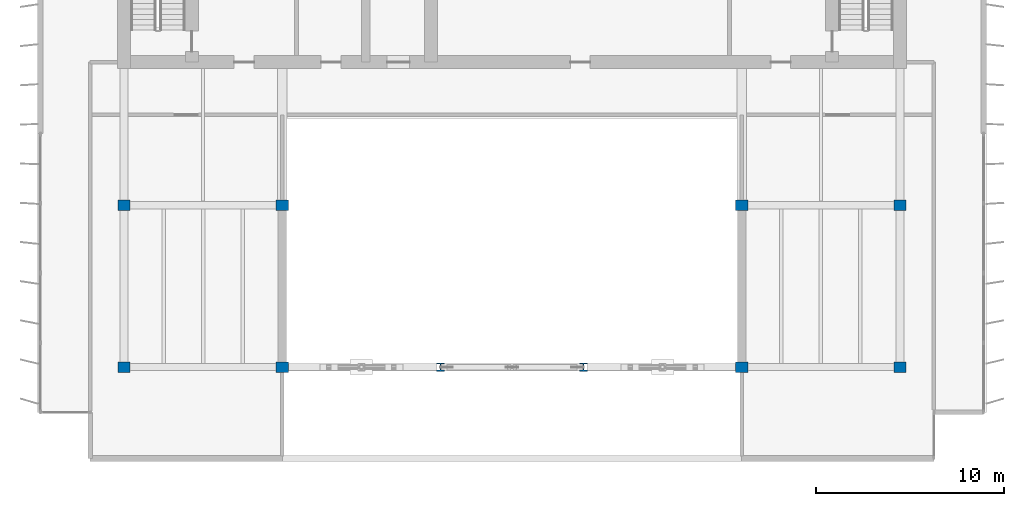
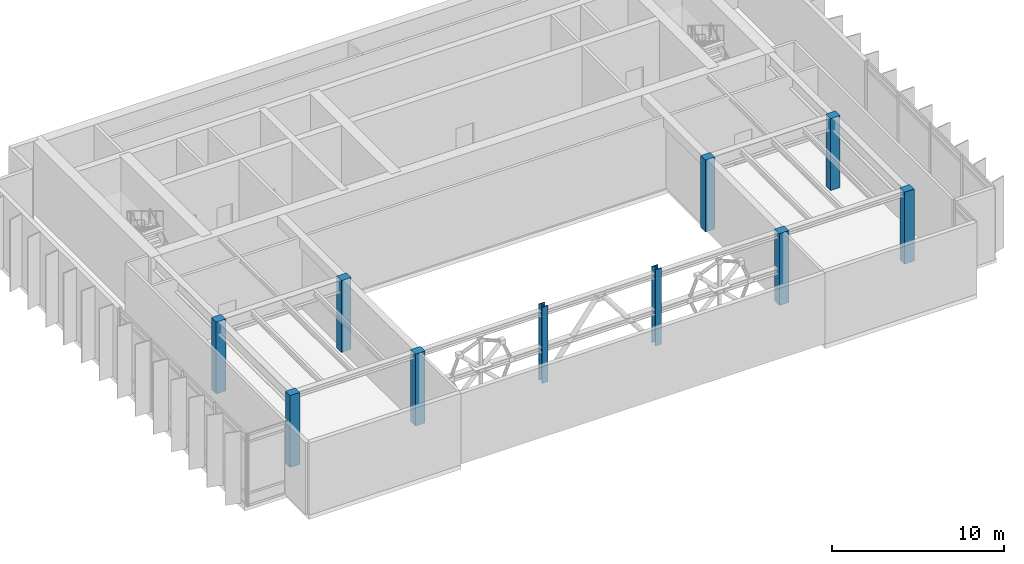
# One storey, part 1 of 10: 10 columns.
"""IFC4 building model written with IfcOpenShell, lengths in metres."""

import ifcopenshell
import ifcopenshell.guid

model = None  # the IFC model being written
_history = None  # IfcOwnerHistory: only IFC2X3 demands one
_inside = {}  # id of a spatial element -> (the spatial element, [elements in it])
_under = {}  # id of a project, library or spatial element -> (it, [spatial elements below it])
_declared = {}  # id of a project -> (the project, [libraries it declares])
_typed = {}  # id of a type object -> (the type object, [elements of that type])
_made_of = {}  # id of a material, layer set ... -> (it, [elements and type objects made of it])


def new_model(schema):
    """Start an empty IFC model of exactly this schema.

    Asked for "IFC4X3", IfcOpenShell would pick the latest addendum, in which some entities
    have other attributes; the version numbers below select the first issue.
    IFC2X3 requires an IfcOwnerHistory on every rooted entity: one is made here for all.
    """
    global model, _history
    if schema == "IFC4X3":
        model = ifcopenshell.file(schema_version=(4, 3, 0, 0))
    else:
        model = ifcopenshell.file(schema=schema)
    _inside.clear()
    _under.clear()
    _declared.clear()
    _typed.clear()
    _made_of.clear()
    _history = None
    if model.schema == "IFC2X3":
        org = make("IfcOrganization", Name="unknown")
        user = make(
            "IfcPersonAndOrganization",
            ThePerson=make("IfcPerson", FamilyName="unknown"),
            TheOrganization=org,
        )
        app = make(
            "IfcApplication",
            ApplicationDeveloper=org,
            Version="unknown",
            ApplicationFullName="unknown",
            ApplicationIdentifier="unknown",
        )
        _history = make(
            "IfcOwnerHistory",
            OwningUser=user,
            OwningApplication=app,
            ChangeAction="ADDED",
            CreationDate=0,
        )
    return model


def make(cls, **values):
    """One entity of the class cls with the attributes given. An attribute that is None is left unset."""
    return model.create_entity(
        cls, **{name: value for name, value in values.items() if value is not None}
    )


def rooted(cls, **values):
    """An entity with a GlobalId (a new one), such as an element, a storey or a relation."""
    return make(cls, GlobalId=ifcopenshell.guid.new(), OwnerHistory=_history, **values)


def si_unit(unit_type, name, prefix=None):
    """IfcSIUnit, for example si_unit("LENGTHUNIT", "METRE", prefix="MILLI")."""
    return make("IfcSIUnit", UnitType=unit_type, Prefix=prefix, Name=name)


def assignment(units):
    """IfcUnitAssignment: the units of a project."""
    return None if units is None else make("IfcUnitAssignment", Units=units)


def point(xyz):
    """IfcCartesianPoint."""
    return None if xyz is None else make("IfcCartesianPoint", Coordinates=xyz)


def direction(xyz):
    """IfcDirection."""
    return None if xyz is None else make("IfcDirection", DirectionRatios=xyz)


def frame(location, z_axis=None, x_axis=None):
    """IfcAxis2Placement3D, a coordinate frame: its origin and axes. An axis left out is left unset."""
    return make(
        "IfcAxis2Placement3D",
        Location=point(location),
        Axis=direction(z_axis),
        RefDirection=direction(x_axis),
    )


def frame_2d(location, x_axis=None):
    """IfcAxis2Placement2D, a coordinate frame in the plane: its origin and x axis."""
    return make(
        "IfcAxis2Placement2D", Location=point(location), RefDirection=direction(x_axis)
    )


def origin():
    """The frame at (0, 0, 0) with its axes left unset."""
    return frame((0.0, 0.0, 0.0))


def origin_2d():
    """The frame at (0, 0) in the plane with its x axis left unset."""
    return frame_2d((0.0, 0.0))


def place(relative_to, where):
    """IfcLocalPlacement: puts the frame where relative to a parent placement (None: the world)."""
    return make(
        "IfcLocalPlacement", PlacementRelTo=relative_to, RelativePlacement=where
    )


def context(
    kind, dimensions, precision=None, world=None, true_north=None, identifier=None
):
    """IfcGeometricRepresentationContext, for example the 3D "Model" context."""
    return make(
        "IfcGeometricRepresentationContext",
        ContextIdentifier=identifier,
        ContextType=kind,
        CoordinateSpaceDimension=dimensions,
        Precision=precision,
        WorldCoordinateSystem=world,
        TrueNorth=true_north,
    )


def subcontext(parent, identifier, kind, view, scale=None):
    """IfcGeometricRepresentationSubContext, for example "Body" below "Model"."""
    return make(
        "IfcGeometricRepresentationSubContext",
        ContextIdentifier=identifier,
        ContextType=kind,
        ParentContext=parent,
        TargetScale=scale,
        TargetView=view,
    )


def project(units=None, contexts=None):
    """IfcProject with its units and contexts."""
    return rooted(
        "IfcProject",
        Name="project",
        RepresentationContexts=contexts,
        UnitsInContext=assignment(units),
    )


def spatial(cls, under=None, at=None, **own):
    """A site, building, storey or space (cls), placed at a placement, below another one or the project."""
    s = rooted(cls, ObjectPlacement=at, **own)
    if under is not None:
        _under.setdefault(under.id(), (under, []))[1].append(s)
    return s


def profile(cls, at=None, kind="AREA", **sizes):
    """A parametric profile (cls). Its sizes go by their IFC names, for example OverallWidth=200.0."""
    return make(cls, ProfileType=kind, Position=at, **sizes)


def rectangle(**sizes):
    """IfcRectangleProfileDef."""
    return profile("IfcRectangleProfileDef", **sizes)


def i_section(**sizes):
    """IfcIShapeProfileDef."""
    return profile("IfcIShapeProfileDef", **sizes)


def extrude(swept, where, along, depth):
    """IfcExtrudedAreaSolid: the profile swept, set in the frame where, extruded along a direction by depth."""
    return make(
        "IfcExtrudedAreaSolid",
        SweptArea=swept,
        Position=where,
        ExtrudedDirection=direction(along),
        Depth=depth,
    )


def shape(context_of_items, identifier, shape_type, items):
    """IfcShapeRepresentation: the items that make up one representation, for example the "Body"."""
    return make(
        "IfcShapeRepresentation",
        ContextOfItems=context_of_items,
        RepresentationIdentifier=identifier,
        RepresentationType=shape_type,
        Items=items,
    )


def material(Name=None, Category=None):
    """IfcMaterial."""
    return make("IfcMaterial", Name=Name, Category=Category)


def material_profile(
    of_material, cross_section, Name=None, Category=None, Priority=None
):
    """IfcMaterialProfile: a cross section and its material."""
    return make(
        "IfcMaterialProfile",
        Name=Name,
        Material=of_material,
        Profile=cross_section,
        Priority=Priority,
        Category=Category,
    )


def profile_set(profiles, Name=None, composite=None):
    """IfcMaterialProfileSet."""
    return make(
        "IfcMaterialProfileSet",
        Name=Name,
        MaterialProfiles=profiles,
        CompositeProfile=composite,
    )


def made_of(thing, what):
    """Note that an element or type object is made of a material, layer set ...; save() writes the relation."""
    if what is not None:
        _made_of.setdefault(what.id(), (what, []))[1].append(thing)
    return thing


def type_object(cls, material=None, **own):
    """A type object (cls), such as IfcWallType, which elements share."""
    return made_of(rooted(cls, **own), material)


def element(
    cls,
    number,
    at=None,
    inside=None,
    cuts=None,
    type_object=None,
    material=None,
    context=None,
    identifier="Body",
    shape_type=None,
    held_by="IfcProductDefinitionShape",
    body=None,
    shapes=None,
    **own,
):
    """One element of the class cls, such as IfcWall. Its Tag is "e" and its number.

    at: its placement. inside: the storey or other place that contains it. cuts: it is an
    opening in that element (IfcRelVoidsElement). A single representation is given by context,
    identifier, shape_type and body (its items); several are given by shapes. held_by: the class
    of the entity that holds the representations. save() writes the other relations.
    """
    e = rooted(cls, Tag="e%d" % number, ObjectPlacement=at, **own)
    if body is not None:
        shapes = [shape(context, identifier, shape_type, body)]
    if shapes is not None:
        e.Representation = make(held_by, Representations=shapes)
    if inside is not None:
        _inside.setdefault(inside.id(), (inside, []))[1].append(e)
    if cuts is not None:
        rooted(
            "IfcRelVoidsElement", RelatingBuildingElement=cuts, RelatedOpeningElement=e
        )
    if type_object is not None:
        _typed.setdefault(type_object.id(), (type_object, []))[1].append(e)
    return made_of(e, material)


def aggregate(whole, parts):
    """IfcRelAggregates: a whole, such as a stair, and the parts it consists of."""
    return rooted("IfcRelAggregates", RelatingObject=whole, RelatedObjects=parts)


def save(model, path):
    """Write the relations noted so far, then the file.

    IfcRelAggregates (storeys below a building ...), IfcRelContainedInSpatialStructure (elements
    in a storey), IfcRelDefinesByType, IfcRelAssociatesMaterial and IfcRelDeclares: one each for
    every whole, place, type object, material and project.
    """
    for whole, parts in _under.values():
        aggregate(whole, parts)
    for where, things in _inside.values():
        rooted(
            "IfcRelContainedInSpatialStructure",
            RelatedElements=things,
            RelatingStructure=where,
        )
    for kind, things in _typed.values():
        rooted("IfcRelDefinesByType", RelatedObjects=things, RelatingType=kind)
    for what, things in _made_of.values():
        rooted("IfcRelAssociatesMaterial", RelatedObjects=things, RelatingMaterial=what)
    for by, libraries in _declared.values():
        rooted("IfcRelDeclares", RelatingContext=by, RelatedDefinitions=libraries)
    model.write(path)


model = new_model("IFC4")

# Units and contexts
model_context = context("Model", 3, precision=1e-05, world=origin(), true_north=direction((0.0, 1.0)))
body_context = subcontext(model_context, "Body", "Model", "MODEL_VIEW")
ifc_project = project(units=[si_unit("LENGTHUNIT", "METRE"), si_unit("AREAUNIT", "SQUARE_METRE"), si_unit("VOLUMEUNIT", "CUBIC_METRE"), si_unit("PLANEANGLEUNIT", "RADIAN"), si_unit("MASSUNIT", "GRAM", prefix="KILO")], contexts=[model_context])

# Site, building, storey
site_placement = place(None, origin())
site = spatial("IfcSite", under=ifc_project, at=site_placement, CompositionType="ELEMENT")
building_placement = place(site_placement, origin())
building = spatial("IfcBuilding", under=site, at=building_placement, Name="Caelmar Bay Residences", CompositionType="ELEMENT")
storey_placement = place(building_placement, frame((0.0, 0.0, 284.800048828125)))
storey = spatial("IfcBuildingStorey", under=building, at=storey_placement, Name="L79", CompositionType="ELEMENT", Elevation=284.800048828125)

# Columns
ifc_material_1 = material(Name="Concrete f'c 55 MPa (8,000 psi)", Category="concrete")
ifc_material_profile_1 = material_profile(ifc_material_1, rectangle(XDim=0.64990234375, YDim=0.550048828125, at=origin_2d()), Name="RC-COL-650X550")
ifc_profile_set_1 = profile_set([ifc_material_profile_1], Name="Concrete f'c 55 MPa (8,000 psi)")
column_type_1 = type_object("IfcColumnType", Name="COL-RC-650X550", PredefinedType="COLUMN", material=ifc_profile_set_1)
for number, where, z_axis, x_axis, name in (
    (1, (18.300048828125, 20.800048828125, 0.0), (0.0, 0.0, 1.0), (1.0, 0.0, 0.0), "L79 Column (18.30,20.80)"),
    (2, (26.699951171875, 20.800048828125, 0.0), (0.0, 0.0, 1.0), (1.0, 0.0, 0.0), "L79 Column (26.70,20.80)"),
    (3, (51.10009765625, 20.800048828125, 0.0), (0.0, 0.0, 1.0), (1.0, 0.0, 0.0), "L79 Column (51.10,20.80)"),
    (4, (59.5, 20.800048828125, 0.0), (0.0, 0.0, 1.0), (1.0, 0.0, 0.0), "L79 Column (59.50,20.80)"),
    (5, (18.300048828125, 29.39990234375, 0.0), (0.0, 0.0, 1.0), (1.0, 0.0, 0.0), "L79 Column (18.30,29.40)"),
    (6, (26.699951171875, 29.39990234375, 0.0), (0.0, 0.0, 1.0), (1.0, 0.0, 0.0), "L79 Column (26.70,29.40)"),
    (7, (51.10009765625, 29.39990234375, 0.0), (0.0, 0.0, 1.0), (1.0, 0.0, 0.0), "L79 Column (51.10,29.40)"),
    (8, (59.5, 29.39990234375, 0.0), (0.0, 0.0, 1.0), (1.0, 0.0, 0.0), "L79 Column (59.50,29.40)"),
):
    element("IfcColumn", number, at=place(storey_placement, frame(where, z_axis=z_axis, x_axis=x_axis)), inside=storey, type_object=column_type_1, Name=name, PredefinedType="COLUMN", context=body_context, shape_type="SweptSolid", body=[
        extrude(rectangle(XDim=0.64990234375, YDim=0.550048828125, at=origin_2d()), origin(), (0.0, 0.0, 1.0), 5.099853515625),
    ])
ifc_material_2 = material(Name="Steel ASTM A992 Grade 50", Category="steel")
ifc_material_profile_2 = material_profile(ifc_material_2, i_section(OverallWidth=0.410888671875, OverallDepth=0.43408203125, WebThickness=0.035888671875, FlangeThickness=0.057373046875, FilletRadius=0.01513671875, at=origin_2d()), Name="W14X311")
ifc_profile_set_2 = profile_set([ifc_material_profile_2], Name="Steel ASTM A992 Grade 50")
column_type_2 = type_object("IfcColumnType", Name="COL-STL-W14X311", PredefinedType="COLUMN", material=ifc_profile_set_2)
for number, where, z_axis, x_axis, name in (
    (9, (35.10009765625, 20.800048828125, 0.0), (0.0, 0.0, 1.0), (1.0, 0.0, 0.0), "L79 Venturi Portal Steel Column X=35.10"),
    (10, (42.699951171875, 20.800048828125, 0.0), (0.0, 0.0, 1.0), (1.0, 0.0, 0.0), "L79 Venturi Portal Steel Column X=42.70"),
):
    element("IfcColumn", number, at=place(storey_placement, frame(where, z_axis=z_axis, x_axis=x_axis)), inside=storey, type_object=column_type_2, Name=name, PredefinedType="COLUMN", context=body_context, shape_type="SweptSolid", body=[
        extrude(i_section(OverallWidth=0.410888671875, OverallDepth=0.43408203125, WebThickness=0.035888671875, FlangeThickness=0.057373046875, FilletRadius=0.01513671875, at=origin_2d()), origin(), (0.0, 0.0, 1.0), 5.39990234375),
    ])

save(model, "model.ifc")
